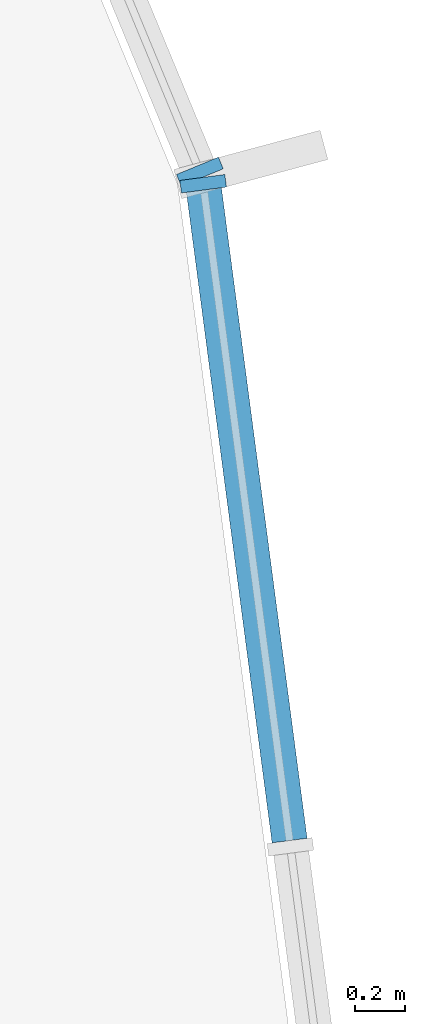
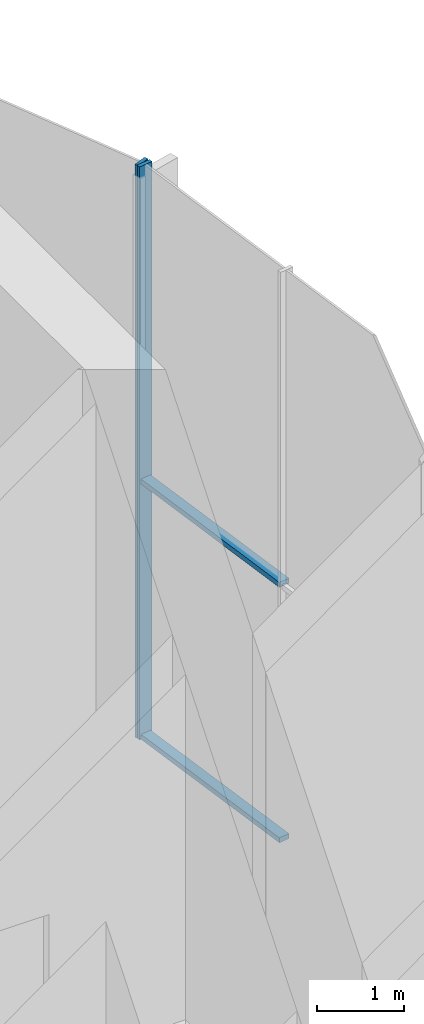
# One storey, part 6 of 18: 4 members, 2 elements without a shape of their own.
"""IFC4 building model written with IfcOpenShell, lengths in metres."""

from ifc_helpers import new_model, si_unit, direction, frame, origin, origin_2d, place, context, subcontext, project, spatial, rectangle, extrude, material, layer, layer_set, material_profile, profile_set, type_object, element, aggregate, save


model = new_model("IFC4")

# Units and contexts
model_context = context("Model", 3, precision=1e-05, world=origin(), true_north=direction((0.0, 1.0)))
body_context = subcontext(model_context, "Body", "Model", "MODEL_VIEW")
ifc_project = project(units=[si_unit("LENGTHUNIT", "METRE"), si_unit("AREAUNIT", "SQUARE_METRE"), si_unit("VOLUMEUNIT", "CUBIC_METRE"), si_unit("PLANEANGLEUNIT", "RADIAN"), si_unit("MASSUNIT", "GRAM", prefix="KILO")], contexts=[model_context])

# Site, building, storey
site_placement = place(None, origin())
site = spatial("IfcSite", under=ifc_project, at=site_placement, CompositionType="ELEMENT")
building_placement = place(site_placement, origin())
building = spatial("IfcBuilding", under=site, at=building_placement, Name="Torre Brocal", CompositionType="ELEMENT")
storey_placement = place(building_placement, frame((0.0, 0.0, 74.39990234375)))
storey = spatial("IfcBuildingStorey", under=building, at=storey_placement, Name="L17", CompositionType="ELEMENT", Elevation=74.39990234375)

# Curtain wall, member
ifc_material_1 = material(Name="Aluminium and glass", Category="aluminium")
ifc_layer = layer(ifc_material_1, 0.199951171875)
ifc_layer_set = layer_set([ifc_layer], Name="Aluminium and glass")
curtain_wall_type = type_object("IfcCurtainWallType", Name="CW-4 CURTAIN WALL 8000 HIGH", PredefinedType="NOTDEFINED", material=ifc_layer_set)
curtain_wall_1_placement = place(storey_placement, origin())
curtain_wall_1 = element("IfcCurtainWall", 1, at=curtain_wall_1_placement, inside=storey, type_object=curtain_wall_type, Name="CW-4 RUN 1", PredefinedType="NOTDEFINED")
ifc_material_2 = material(Name="Aluminium, dark anodised", Category="aluminium")
ifc_material_profile_1 = material_profile(ifc_material_2, rectangle(XDim=0.179931640625, YDim=0.050048828125, at=origin_2d()), Name="CW-4 MULLION 50X180")
ifc_profile_set_1 = profile_set([ifc_material_profile_1], Name="Aluminium, dark anodised")
member_type_1 = type_object("IfcMemberType", Name="CW-4 MULLION 50X180", PredefinedType="MULLION", material=ifc_profile_set_1)
member_1_placement = place(storey_placement, frame((105.02001953125, 81.678466796875, 0.0), z_axis=(0.0, 0.0, 1.0), x_axis=(-0.991444861374, -0.13052619222, 0.0)))
member_1 = element("IfcMember", 2, at=member_1_placement, type_object=member_type_1, Name="CW4-1 mullion 3", PredefinedType="MULLION", context=body_context, shape_type="SweptSolid", body=[
    extrude(rectangle(XDim=0.179931640625, YDim=0.050048828125, at=origin_2d()), origin(), (0.0, 0.0, 1.0), 8.0),
])

curtain_wall_2_placement = place(storey_placement, origin())
curtain_wall_2 = element("IfcCurtainWall", 3, at=curtain_wall_2_placement, inside=storey, type_object=curtain_wall_type, Name="CW-4 RUN 2", PredefinedType="NOTDEFINED")
member_2_placement = place(storey_placement, frame((105.007080078125, 81.726318359375, 0.0), z_axis=(0.0, 0.0, 1.0), x_axis=(-0.923879532525, -0.382683432333, 0.0)))
member_2 = element("IfcMember", 4, at=member_2_placement, type_object=member_type_1, Name="CW4-1 mullion 1", PredefinedType="MULLION", context=body_context, shape_type="SweptSolid", body=[
    extrude(rectangle(XDim=0.179931640625, YDim=0.050048828125, at=origin_2d()), origin(), (0.0, 0.0, 1.0), 8.0),
])
aggregate(curtain_wall_2, [member_2])

# Member
ifc_material_3 = material(Name="Aluminium, dark anodised", Category="aluminium")
ifc_material_profile_2 = material_profile(ifc_material_3, rectangle(XDim=0.139892578125, YDim=0.070068359375, at=origin_2d()), Name="CW-4 TRANSOM 140X70")
ifc_profile_set_2 = profile_set([ifc_material_profile_2], Name="Aluminium, dark anodised")
member_type_2 = type_object("IfcMemberType", Name="CW-4 TRANSOM 140X70", PredefinedType="USERDEFINED", material=ifc_profile_set_2)
member_3_placement = place(storey_placement, frame((105.362548828125, 79.076416015625, 0.03515625), z_axis=(-0.130551694767, 0.991441503566, 0.0), x_axis=(-0.991441503566, -0.130551694767, 0.0)))
member_3 = element("IfcMember", 5, at=member_3_placement, type_object=member_type_2, Name="CW4-1 transom 2.1", ObjectType="TRANSOM", PredefinedType="USERDEFINED", context=body_context, shape_type="SweptSolid", body=[
    extrude(rectangle(XDim=0.139892578125, YDim=0.070068359375, at=origin_2d()), origin(), (0.0, 0.0, 1.0), 2.599365234375),
])

member_4_placement = place(storey_placement, frame((105.362548828125, 79.076416015625, 3.60009765625), z_axis=(-0.130551694767, 0.991441503566, 0.0), x_axis=(-0.991441503566, -0.130551694767, 0.0)))
member_4 = element("IfcMember", 6, at=member_4_placement, type_object=member_type_2, Name="CW4-1 transom 2.2", ObjectType="TRANSOM", PredefinedType="USERDEFINED", context=body_context, shape_type="SweptSolid", body=[
    extrude(rectangle(XDim=0.139892578125, YDim=0.070068359375, at=origin_2d()), origin(), (0.0, 0.0, 1.0), 2.599365234375),
])

aggregate(curtain_wall_1, [member_1, member_3, member_4])

save(model, "model.ifc")
